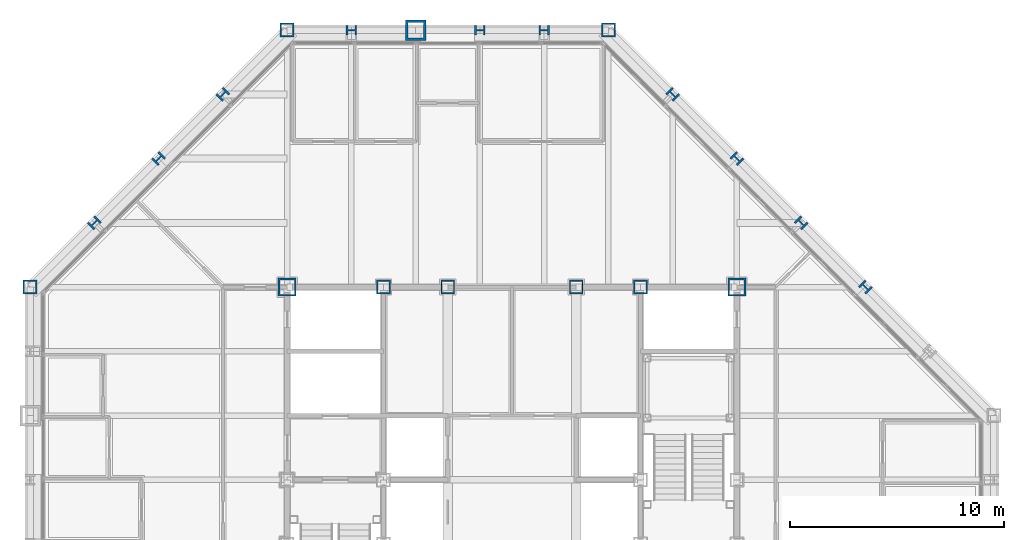
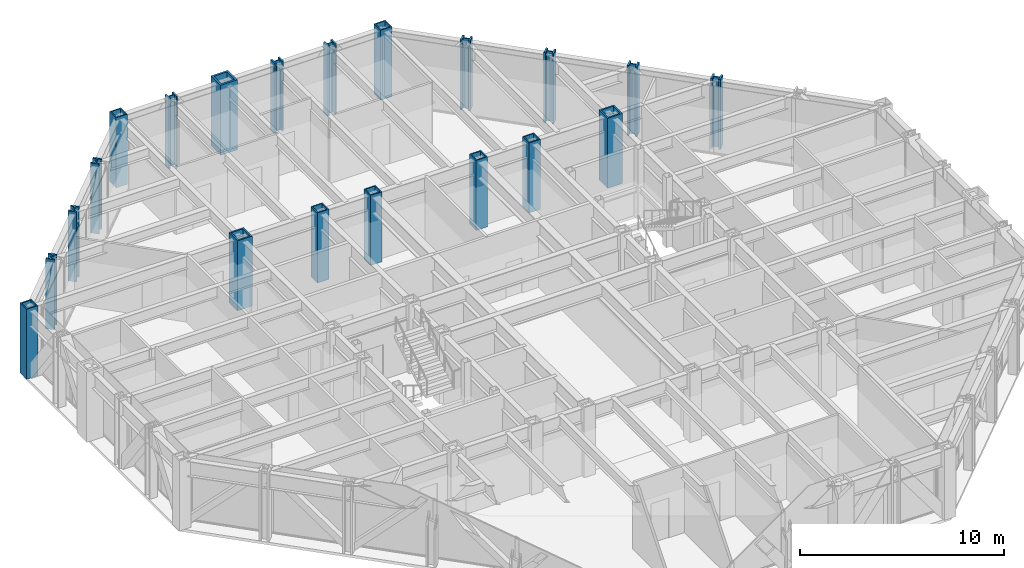
# One storey, part 3 of 15: 20 columns.
"""IFC4 building model written with IfcOpenShell, lengths in metres."""

from ifc_helpers import new_model, si_unit, direction, frame, origin, origin_2d, place, context, subcontext, project, spatial, hollow_rectangle, i_section, extrude, material, material_profile, profile_set, type_object, element, save


model = new_model("IFC4")

# Units and contexts
model_context = context("Model", 3, precision=1e-05, world=origin(), true_north=direction((0.0, 1.0)))
body_context = subcontext(model_context, "Body", "Model", "MODEL_VIEW")
ifc_project = project(units=[si_unit("LENGTHUNIT", "METRE"), si_unit("AREAUNIT", "SQUARE_METRE"), si_unit("VOLUMEUNIT", "CUBIC_METRE"), si_unit("PLANEANGLEUNIT", "RADIAN"), si_unit("MASSUNIT", "GRAM", prefix="KILO")], contexts=[model_context])

# Site, building, storey
site_placement = place(None, origin())
site = spatial("IfcSite", under=ifc_project, at=site_placement, CompositionType="ELEMENT")
building_placement = place(site_placement, origin())
building = spatial("IfcBuilding", under=site, at=building_placement, Name="Chuquiago Exchange Tower", CompositionType="ELEMENT")
storey_placement = place(building_placement, frame((0.0, 0.0, 188.699951171875)))
storey = spatial("IfcBuildingStorey", under=building, at=storey_placement, Name="L41", CompositionType="ELEMENT", Elevation=188.699951171875)

# Columns
ifc_material_1 = material(Name="Steel ASTM A992", Category="steel")
ifc_material_profile_1 = material_profile(ifc_material_1, i_section(OverallWidth=0.431884765625, OverallDepth=0.497802734375, WebThickness=0.0556640625, FlangeThickness=0.0888671875, at=origin_2d()), Name="W14X500")
ifc_profile_set_1 = profile_set([ifc_material_profile_1], Name="Steel ASTM A992")
column_type_1 = type_object("IfcColumnType", Name="C4 W14X500", PredefinedType="COLUMN", material=ifc_profile_set_1)
for number, where, z_axis, x_axis, name in (
    (1, (24.0, 45.0, 0.0), (0.0, 0.0, 1.0), (0.0, 1.0, 0.0), "COL-L41-24_45"),
    (2, (21.0, 45.0, 0.0), (0.0, 0.0, 1.0), (0.0, 1.0, 0.0), "COL-L41-21_45"),
    (3, (15.0, 45.0, 0.0), (0.0, 0.0, 1.0), (0.0, 1.0, 0.0), "COL-L41-15_45"),
):
    element("IfcColumn", number, at=place(storey_placement, frame(where, z_axis=z_axis, x_axis=x_axis)), inside=storey, type_object=column_type_1, Name=name, PredefinedType="COLUMN", context=body_context, shape_type="SweptSolid", body=[
        extrude(i_section(OverallWidth=0.431884765625, OverallDepth=0.497802734375, WebThickness=0.0556640625, FlangeThickness=0.0888671875, at=origin_2d()), origin(), (0.0, 0.0, 1.0), 4.199951171875),
    ])
ifc_material_2 = material(Name="Steel ASTM A572 Grade 50", Category="steel")
ifc_material_profile_2 = material_profile(ifc_material_2, hollow_rectangle(XDim=0.64990234375, YDim=0.64990234375, WallThickness=0.06494140625, at=origin_2d()), Name="BOX650X650X65")
ifc_profile_set_2 = profile_set([ifc_material_profile_2], Name="Steel ASTM A572 Grade 50")
column_type_2 = type_object("IfcColumnType", Name="CC4 BOX650X650X65", PredefinedType="COLUMN", material=ifc_profile_set_2)
for number, where, z_axis, x_axis, name in (
    (4, (16.5, 33.0, 0.0), (0.0, 0.0, 1.0), (1.0, 0.0, 0.0), "CCOL-L41-16.5_33"),
    (5, (19.5, 33.0, 0.0), (0.0, 0.0, 1.0), (1.0, 0.0, 0.0), "CCOL-L41-19.5_33"),
    (6, (25.5, 33.0, 0.0), (0.0, 0.0, 1.0), (1.0, 0.0, 0.0), "CCOL-L41-25.5_33"),
    (7, (28.5, 33.0, 0.0), (0.0, 0.0, 1.0), (1.0, 0.0, 0.0), "CCOL-L41-28.5_33"),
):
    element("IfcColumn", number, at=place(storey_placement, frame(where, z_axis=z_axis, x_axis=x_axis)), inside=storey, type_object=column_type_2, Name=name, PredefinedType="COLUMN", context=body_context, shape_type="SweptSolid", body=[
        extrude(hollow_rectangle(XDim=0.64990234375, YDim=0.64990234375, WallThickness=0.06494140625, at=origin_2d()), origin(), (0.0, 0.0, 1.0), 4.199951171875),
    ])
ifc_material_3 = material(Name="Steel ASTM A572 Grade 50", Category="steel")
ifc_material_profile_3 = material_profile(ifc_material_3, hollow_rectangle(XDim=0.85009765625, YDim=0.85009765625, WallThickness=0.0849609375, at=origin_2d()), Name="BOX850X850X85")
ifc_profile_set_3 = profile_set([ifc_material_profile_3], Name="Steel ASTM A572 Grade 50")
column_type_3 = type_object("IfcColumnType", Name="CC6 BOX850X850X85", PredefinedType="COLUMN", material=ifc_profile_set_3)
for number, where, z_axis, x_axis, name in (
    (8, (12.0, 33.0, 0.0), (0.0, 0.0, 1.0), (1.0, 0.0, 0.0), "CCOL-L41-12_33"),
    (9, (33.0, 33.0, 0.0), (0.0, 0.0, 1.0), (1.0, 0.0, 0.0), "CCOL-L41-33_33"),
):
    element("IfcColumn", number, at=place(storey_placement, frame(where, z_axis=z_axis, x_axis=x_axis)), inside=storey, type_object=column_type_3, Name=name, PredefinedType="COLUMN", context=body_context, shape_type="SweptSolid", body=[
        extrude(hollow_rectangle(XDim=0.85009765625, YDim=0.85009765625, WallThickness=0.0849609375, at=origin_2d()), origin(), (0.0, 0.0, 1.0), 4.199951171875),
    ])
ifc_material_4 = material(Name="Steel ASTM A992", Category="steel")
ifc_material_profile_4 = material_profile(ifc_material_4, i_section(OverallWidth=0.436767578125, OverallDepth=0.51318359375, WebThickness=0.060546875, FlangeThickness=0.096923828125, at=origin_2d()), Name="W14X550")
ifc_profile_set_4 = profile_set([ifc_material_profile_4], Name="Steel ASTM A992")
column_type_4 = type_object("IfcColumnType", Name="CK4 W14X550", PredefinedType="COLUMN", material=ifc_profile_set_4)
for number, where, z_axis, x_axis, name in (
    (10, (39.0, 33.0, 0.0), (0.0, 0.0, 1.0), (0.707106781187, 0.707106781187, 0.0), "COL-L41-39_33"),
    (11, (36.0, 36.0, 0.0), (0.0, 0.0, 1.0), (0.707106781187, 0.707106781187, 0.0), "COL-L41-36_36"),
    (12, (33.0, 39.0, 0.0), (0.0, 0.0, 1.0), (0.707106781187, 0.707106781187, 0.0), "COL-L41-33_39"),
    (13, (30.0, 42.0, 0.0), (0.0, 0.0, 1.0), (0.707106781187, 0.707106781187, 0.0), "COL-L41-30_42"),
    (14, (9.0, 42.0, 0.0), (0.0, 0.0, 1.0), (-0.707106781187, 0.707106781187, 0.0), "COL-L41-9_42"),
    (15, (6.0, 39.0, 0.0), (0.0, 0.0, 1.0), (-0.707106781187, 0.707106781187, 0.0), "COL-L41-6_39"),
    (16, (3.0, 36.0, 0.0), (0.0, 0.0, 1.0), (-0.707106781187, 0.707106781187, 0.0), "COL-L41-3_36"),
):
    element("IfcColumn", number, at=place(storey_placement, frame(where, z_axis=z_axis, x_axis=x_axis)), inside=storey, type_object=column_type_4, Name=name, PredefinedType="COLUMN", context=body_context, shape_type="SweptSolid", body=[
        extrude(i_section(OverallWidth=0.436767578125, OverallDepth=0.51318359375, WebThickness=0.060546875, FlangeThickness=0.096923828125, at=origin_2d()), origin(), (0.0, 0.0, 1.0), 4.199951171875),
    ])
ifc_material_5 = material(Name="Steel ASTM A572 Grade 50", Category="steel")
ifc_material_profile_5 = material_profile(ifc_material_5, hollow_rectangle(XDim=0.64990234375, YDim=0.64990234375, WallThickness=0.06494140625, at=origin_2d()), Name="BOX650X650X65")
ifc_profile_set_5 = profile_set([ifc_material_profile_5], Name="Steel ASTM A572 Grade 50")
column_type_5 = type_object("IfcColumnType", Name="CN2 BOX650X650X65", PredefinedType="COLUMN", material=ifc_profile_set_5)
for number, where, z_axis, x_axis, name in (
    (17, (27.0, 45.0, 0.0), (0.0, 0.0, 1.0), (0.0, 1.0, 0.0), "COL-L41-27_45"),
    (18, (12.0, 45.0, 0.0), (0.0, 0.0, 1.0), (0.0, 1.0, 0.0), "COL-L41-12_45"),
    (19, (0.0, 33.0, 0.0), (0.0, 0.0, 1.0), (-1.0, 0.0, 0.0), "COL-L41-0_33"),
):
    element("IfcColumn", number, at=place(storey_placement, frame(where, z_axis=z_axis, x_axis=x_axis)), inside=storey, type_object=column_type_5, Name=name, PredefinedType="COLUMN", context=body_context, shape_type="SweptSolid", body=[
        extrude(hollow_rectangle(XDim=0.64990234375, YDim=0.64990234375, WallThickness=0.06494140625, at=origin_2d()), origin(), (0.0, 0.0, 1.0), 4.199951171875),
    ])
ifc_material_6 = material(Name="Steel ASTM A572 Grade 42", Category="steel")
ifc_material_profile_6 = material_profile(ifc_material_6, hollow_rectangle(XDim=0.949951171875, YDim=0.949951171875, WallThickness=0.110107421875, at=origin_2d()), Name="BOX950X950X110")
ifc_profile_set_6 = profile_set([ifc_material_profile_6], Name="Steel ASTM A572 Grade 42")
column_type_6 = type_object("IfcColumnType", Name="CT1 BOX950X950X110", PredefinedType="COLUMN", material=ifc_profile_set_6)
column_placement = place(storey_placement, frame((18.0, 45.0, 0.0), z_axis=(0.0, 0.0, 1.0), x_axis=(0.0, 1.0, 0.0)))
element("IfcColumn", 20, at=column_placement, inside=storey, type_object=column_type_6, Name="COL-L41-18_45", PredefinedType="COLUMN", context=body_context, shape_type="SweptSolid", body=[
    extrude(hollow_rectangle(XDim=0.949951171875, YDim=0.949951171875, WallThickness=0.110107421875, at=origin_2d()), origin(), (0.0, 0.0, 1.0), 4.199951171875),
])

save(model, "model.ifc")
